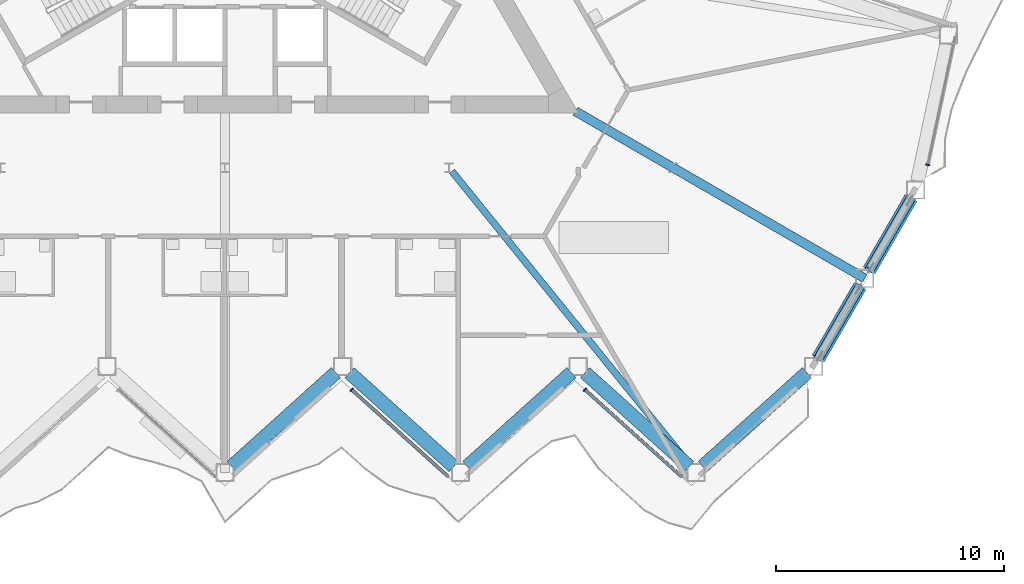
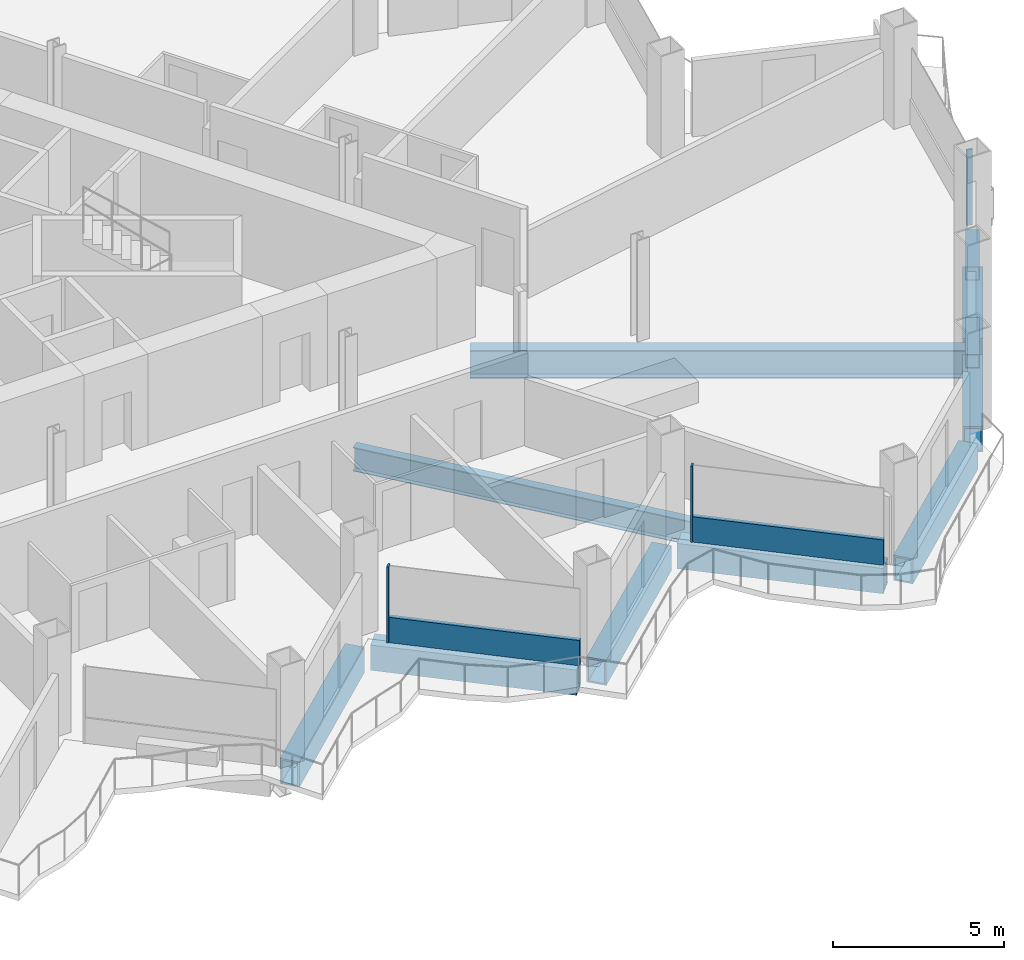
# One storey, part 5 of 23: 8 beams, 8 members, 3 elements without a shape of their own.
"""IFC4 building model written with IfcOpenShell, lengths in metres."""

from ifc_helpers import new_model, si_unit, direction, frame, origin, origin_2d, place, context, subcontext, project, spatial, rectangle, hollow_rectangle, i_section, extrude, material, layer, layer_set, material_profile, profile_set, type_object, element, aggregate, save


model = new_model("IFC4")

# Units and contexts
model_context = context("Model", 3, precision=1e-05, world=origin(), true_north=direction((0.0, 1.0)))
body_context = subcontext(model_context, "Body", "Model", "MODEL_VIEW")
ifc_project = project(units=[si_unit("LENGTHUNIT", "METRE"), si_unit("AREAUNIT", "SQUARE_METRE"), si_unit("VOLUMEUNIT", "CUBIC_METRE"), si_unit("PLANEANGLEUNIT", "RADIAN"), si_unit("MASSUNIT", "GRAM", prefix="KILO")], contexts=[model_context])

# Site, building, storey
site_placement = place(None, origin())
site = spatial("IfcSite", under=ifc_project, at=site_placement, CompositionType="ELEMENT")
building_placement = place(site_placement, origin())
building = spatial("IfcBuilding", under=site, at=building_placement, Name="Cormorant Prow Tower", CompositionType="ELEMENT")
storey_placement = place(building_placement, frame((0.0, 0.0, 169.199951171875)))
storey = spatial("IfcBuildingStorey", under=building, at=storey_placement, Name="L35", CompositionType="ELEMENT", Elevation=169.199951171875)

# Beams
ifc_material_1 = material(Name="Structural steel ASTM A572 Gr 50", Category="steel")
ifc_material_profile_1 = material_profile(ifc_material_1, hollow_rectangle(XDim=0.60009765625, YDim=0.89990234375, WallThickness=0.06005859375, at=origin_2d()), Name="Box 900x600x60")
ifc_profile_set_1 = profile_set([ifc_material_profile_1], Name="Structural steel ASTM A572 Gr 50")
beam_type_1 = type_object("IfcBeamType", Name="Belt truss top chord 900x600x60", PredefinedType="BEAM", material=ifc_profile_set_1)
beam_1_placement = place(storey_placement, frame((0.29736328125, -24.453857421875, -0.800048828125), z_axis=(0.743138178716, 0.669137988261, 0.0), x_axis=(-0.669137988261, 0.743138178716, 0.0)))
element("IfcBeam", 1, at=beam_1_placement, inside=storey, type_object=beam_type_1, Name="Belt truss top chord TC2 S05-S06 L35", PredefinedType="BEAM", context=body_context, shape_type="SweptSolid", body=[
    extrude(hollow_rectangle(XDim=0.60009765625, YDim=0.89990234375, WallThickness=0.06005859375, at=origin_2d()), origin(), (0.0, 0.0, 1.0), 6.149658203125),
])
beam_2_placement = place(storey_placement, frame((5.4619140625, -20.3388671875, -0.800048828125), z_axis=(0.743155953285, -0.669118247469, 0.0), x_axis=(0.669118247469, 0.743155953285, 0.0)))
element("IfcBeam", 2, at=beam_2_placement, inside=storey, type_object=beam_type_1, Name="Belt truss top chord TC2 S06-S07 L35", PredefinedType="BEAM", context=body_context, shape_type="SweptSolid", body=[
    extrude(hollow_rectangle(XDim=0.60009765625, YDim=0.89990234375, WallThickness=0.06005859375, at=origin_2d()), origin(), (0.0, 0.0, 1.0), 6.14990234375),
])
for number, where, z_axis, x_axis, name in (
    (3, (10.626708984375, -24.453857421875, -0.800048828125), (0.743138178716, 0.669137988261, 0.0), (-0.669137988261, 0.743138178716, 0.0), "Belt truss top chord TC2 S07-S08 L35"),
    (4, (15.79150390625, -20.3388671875, -0.800048828125), (0.743138178716, -0.669137988261, 0.0), (0.669137988261, 0.743138178716, 0.0), "Belt truss top chord TC2 S08-S09 L35"),
):
    element("IfcBeam", number, at=place(storey_placement, frame(where, z_axis=z_axis, x_axis=x_axis)), inside=storey, type_object=beam_type_1, Name=name, PredefinedType="BEAM", context=body_context, shape_type="SweptSolid", body=[
        extrude(hollow_rectangle(XDim=0.60009765625, YDim=0.89990234375, WallThickness=0.06005859375, at=origin_2d()), origin(), (0.0, 0.0, 1.0), 6.149658203125),
    ])
beam_3_placement = place(storey_placement, frame((20.9560546875, -24.453857421875, -0.800048828125), z_axis=(0.743155953285, 0.669118247469, 0.0), x_axis=(-0.669118247469, 0.743155953285, 0.0)))
element("IfcBeam", 5, at=beam_3_placement, inside=storey, type_object=beam_type_1, Name="Belt truss top chord TC2 S09-ESE00 L35", PredefinedType="BEAM", context=body_context, shape_type="SweptSolid", body=[
    extrude(hollow_rectangle(XDim=0.60009765625, YDim=0.89990234375, WallThickness=0.06005859375, at=origin_2d()), origin(), (0.0, 0.0, 1.0), 6.14990234375),
])
for number, where, z_axis, x_axis, name in (
    (6, (26.023681640625, -19.724853515625, -0.800048828125), (0.499994986164, 0.866028298505, 0.0), (-0.866028298505, 0.499994986164, 0.0), "Belt truss top chord TC2 ESE00-ESE01 L35"),
    (7, (28.2587890625, -15.853271484375, -0.800048828125), (0.499994986164, 0.866028298505, 0.0), (-0.866028298505, 0.499994986164, 0.0), "Belt truss top chord TC2 ESE01-ENE00 L35"),
):
    element("IfcBeam", number, at=place(storey_placement, frame(where, z_axis=z_axis, x_axis=x_axis)), inside=storey, type_object=beam_type_1, Name=name, PredefinedType="BEAM", context=body_context, shape_type="SweptSolid", body=[
        extrude(hollow_rectangle(XDim=0.60009765625, YDim=0.89990234375, WallThickness=0.06005859375, at=origin_2d()), origin(), (0.0, 0.0, 1.0), 3.67041015625),
    ])

# Members
ifc_material_2 = material(Name="Structural steel ASTM A500 Gr C", Category="steel")
ifc_material_profile_2 = material_profile(ifc_material_2, hollow_rectangle(XDim=0.406494140625, YDim=0.406494140625, WallThickness=0.01171875, at=origin_2d()), Name="HSS16x16x1/2")
ifc_profile_set_2 = profile_set([ifc_material_profile_2], Name="Structural steel ASTM A500 Gr C")
member_type_1 = type_object("IfcMemberType", Name="Chamfer brace HSS16x16x1/2", PredefinedType="BRACE", material=ifc_profile_set_2)
member_1_placement = place(storey_placement, frame((27.850341796875, -16.56103515625, 0.739990234375), z_axis=(-0.47400804529, -0.820968949664, 0.318318011883), x_axis=(0.866015628144, -0.500016931523, 0.0)))
element("IfcMember", 8, at=member_1_placement, inside=storey, type_object=member_type_1, Name="Chamfer brace BR2 at ESE00 L35", PredefinedType="BRACE", context=body_context, shape_type="SweptSolid", body=[
    extrude(hollow_rectangle(XDim=0.406494140625, YDim=0.406494140625, WallThickness=0.01171875, at=origin_2d()), origin(), (0.0, 0.0, 1.0), 3.835693359375),
])
member_2_placement = place(storey_placement, frame((30.08544921875, -12.689453125, 0.739990234375), z_axis=(-0.473983276796, -0.820989698857, 0.31830137871), x_axis=(0.866032413668, -0.499987858329, 0.0)))
element("IfcMember", 9, at=member_2_placement, inside=storey, type_object=member_type_1, Name="Chamfer brace BR2 at ESE01 L35", PredefinedType="BRACE", context=body_context, shape_type="SweptSolid", body=[
    extrude(hollow_rectangle(XDim=0.406494140625, YDim=0.406494140625, WallThickness=0.01171875, at=origin_2d()), origin(), (0.0, 0.0, 1.0), 3.8359375),
])

# Curtain wall, member
ifc_material_3 = material(Name="Aluminium 6063-T6", Category="aluminium")
ifc_layer = layer(ifc_material_3, 0.179931640625)
ifc_layer_set = layer_set([ifc_layer], Name="Aluminium 6063-T6")
curtain_wall_type = type_object("IfcCurtainWallType", Name="Hotel unitised curtain wall 180", PredefinedType="NOTDEFINED", material=ifc_layer_set)
curtain_wall_1_placement = place(storey_placement, origin())
curtain_wall_1 = element("IfcCurtainWall", 10, at=curtain_wall_1_placement, inside=storey, type_object=curtain_wall_type, Name="Hotel curtain wall S06", PredefinedType="NOTDEFINED")
ifc_material_4 = material(Name="Aluminium 6063-T6", Category="aluminium")
ifc_material_profile_3 = material_profile(ifc_material_4, rectangle(XDim=0.179931640625, YDim=0.06005859375, at=origin_2d()), Name="Hotel mullion 60x180")
ifc_profile_set_3 = profile_set([ifc_material_profile_3], Name="Aluminium 6063-T6")
member_type_2 = type_object("IfcMemberType", Name="Hotel mullion 60x180", PredefinedType="MULLION", material=ifc_profile_set_3)
member_3_placement = place(storey_placement, frame((5.56005859375, -21.08447265625, 0.0), z_axis=(0.0, 0.0, 1.0), x_axis=(0.669130488316, 0.743144931764, 0.0)))
member_3 = element("IfcMember", 11, at=member_3_placement, type_object=member_type_2, Name="Hotel mullion S06", PredefinedType="MULLION", context=body_context, shape_type="SweptSolid", body=[
    extrude(rectangle(XDim=0.179931640625, YDim=0.06005859375, at=origin_2d()), origin(), (0.0, 0.0, 1.0), 2.700927734375),
])

curtain_wall_2_placement = place(storey_placement, origin())
curtain_wall_2 = element("IfcCurtainWall", 12, at=curtain_wall_2_placement, inside=storey, type_object=curtain_wall_type, Name="Hotel curtain wall S08", PredefinedType="NOTDEFINED")
member_4_placement = place(storey_placement, frame((15.79150390625, -21.08447265625, 0.0), z_axis=(0.0, 0.0, 1.0), x_axis=(0.669130560548, 0.743144866726, 0.0)))
member_4 = element("IfcMember", 13, at=member_4_placement, type_object=member_type_2, Name="Hotel mullion S08", PredefinedType="MULLION", context=body_context, shape_type="SweptSolid", body=[
    extrude(rectangle(XDim=0.179931640625, YDim=0.06005859375, at=origin_2d()), origin(), (0.0, 0.0, 1.0), 2.700927734375),
])

curtain_wall_3_placement = place(storey_placement, origin())
curtain_wall_3 = element("IfcCurtainWall", 14, at=curtain_wall_3_placement, inside=storey, type_object=curtain_wall_type, Name="Hotel curtain wall ENE00", PredefinedType="NOTDEFINED")
member_5_placement = place(storey_placement, frame((30.826904296875, -11.224609375, 0.0), z_axis=(0.0, 0.0, 1.0), x_axis=(-0.978147592729, 0.207911728478, 0.0)))
member_5 = element("IfcMember", 15, at=member_5_placement, type_object=member_type_2, Name="Hotel mullion ENE00", PredefinedType="MULLION", context=body_context, shape_type="SweptSolid", body=[
    extrude(rectangle(XDim=0.179931640625, YDim=0.06005859375, at=origin_2d()), origin(), (0.0, 0.0, 1.0), 2.700927734375),
])
aggregate(curtain_wall_3, [member_5])

# Member
ifc_material_5 = material(Name="Terracotta", Category="masonry")
ifc_material_profile_4 = material_profile(ifc_material_5, rectangle(XDim=0.139892578125, YDim=0.89990234375, at=origin_2d()), Name="Hotel terracotta spandrel rail 140x900")
ifc_profile_set_4 = profile_set([ifc_material_profile_4], Name="Terracotta")
member_type_3 = type_object("IfcMemberType", Name="Hotel terracotta spandrel rail 140x900", PredefinedType="USERDEFINED", material=ifc_profile_set_4)
member_6_placement = place(storey_placement, frame((5.58251953125, -21.1044921875, 0.449951171875), z_axis=(0.743138320107, -0.669137831234, 0.0), x_axis=(0.669137831234, 0.743138320107, 0.0)))
member_6 = element("IfcMember", 16, at=member_6_placement, type_object=member_type_3, Name="Hotel spandrel rail S06", ObjectType="TRANSOM", PredefinedType="USERDEFINED", context=body_context, shape_type="SweptSolid", body=[
    extrude(rectangle(XDim=0.139892578125, YDim=0.89990234375, at=origin_2d()), origin(), (0.0, 0.0, 1.0), 5.687744140625),
])

aggregate(curtain_wall_1, [member_3, member_6])

member_7_placement = place(storey_placement, frame((15.813720703125, -21.1044921875, 0.449951171875), z_axis=(0.743157538086, -0.669116487307, 0.0), x_axis=(0.669116487307, 0.743157538086, 0.0)))
member_7 = element("IfcMember", 17, at=member_7_placement, type_object=member_type_3, Name="Hotel spandrel rail S08", ObjectType="TRANSOM", PredefinedType="USERDEFINED", context=body_context, shape_type="SweptSolid", body=[
    extrude(rectangle(XDim=0.139892578125, YDim=0.89990234375, at=origin_2d()), origin(), (0.0, 0.0, 1.0), 5.68798828125),
])

aggregate(curtain_wall_2, [member_4, member_7])

ifc_material_6 = material(Name="Structural steel ASTM A992 Gr 50", Category="steel")
ifc_material_profile_5 = material_profile(ifc_material_6, i_section(OverallWidth=0.39990234375, OverallDepth=1.000244140625, WebThickness=0.01904296875, FlangeThickness=0.0361328125, at=origin_2d()), Name="W40x249")
ifc_profile_set_5 = profile_set([ifc_material_profile_5], Name="Structural steel ASTM A992 Gr 50")
member_type_4 = type_object("IfcMemberType", Name="Outrigger chord W40x249", PredefinedType="CHORD", material=ifc_profile_set_5)
member_8_placement = place(storey_placement, frame((15.3701171875, -8.873779296875, -0.85009765625), z_axis=(0.866022701949, -0.500004679687, 0.0), x_axis=(0.500004679687, 0.866022701949, 0.0)))
element("IfcMember", 18, at=member_8_placement, inside=storey, type_object=member_type_4, Name="Outrigger top chord 5 L35", PredefinedType="CHORD", context=body_context, shape_type="SweptSolid", body=[
    extrude(i_section(OverallWidth=0.39990234375, OverallDepth=1.000244140625, WebThickness=0.01904296875, FlangeThickness=0.0361328125, at=origin_2d()), origin(), (0.0, 0.0, 1.0), 14.651611328125),
])

# Beam
ifc_material_7 = material(Name="Structural steel ASTM A992 Gr 50", Category="steel")
ifc_material_profile_6 = material_profile(ifc_material_7, i_section(OverallWidth=0.29296875, OverallDepth=0.845703125, WebThickness=0.015380859375, FlangeThickness=0.0244140625, at=origin_2d()), Name="W33x141")
ifc_profile_set_6 = profile_set([ifc_material_profile_6], Name="Structural steel ASTM A992 Gr 50")
beam_type_2 = type_object("IfcBeamType", Name="Radial floor beam W33x141", PredefinedType="BEAM", material=ifc_profile_set_6)
beam_4_placement = place(storey_placement, frame((9.95654296875, -11.50732421875, -0.77294921875), z_axis=(0.629385162657, -0.777093505974, 0.0), x_axis=(0.777093505974, 0.629385162657, 0.0)))
element("IfcBeam", 19, at=beam_4_placement, inside=storey, type_object=beam_type_2, Name="Radial floor beam FB2 8 L35", PredefinedType="BEAM", context=body_context, shape_type="SweptSolid", body=[
    extrude(i_section(OverallWidth=0.29296875, OverallDepth=0.845703125, WebThickness=0.015380859375, FlangeThickness=0.0244140625, at=origin_2d()), origin(), (0.0, 0.0, 1.0), 16.6044921875),
])

save(model, "model.ifc")
